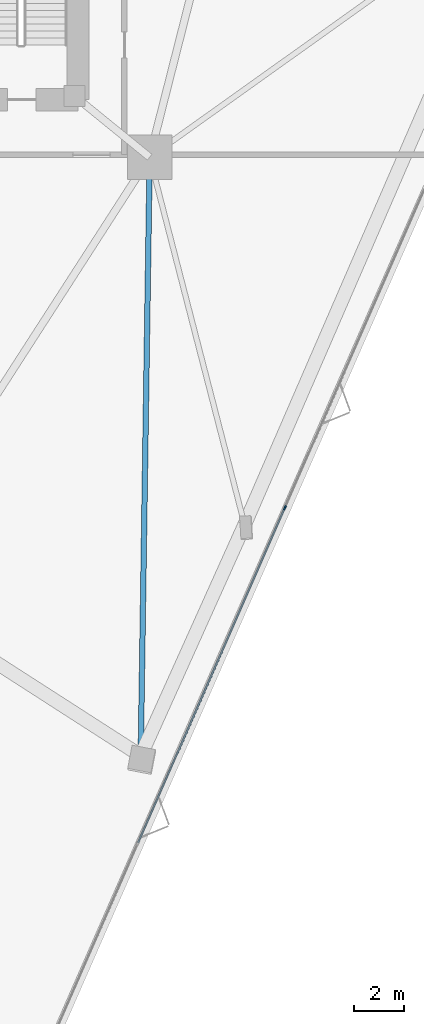
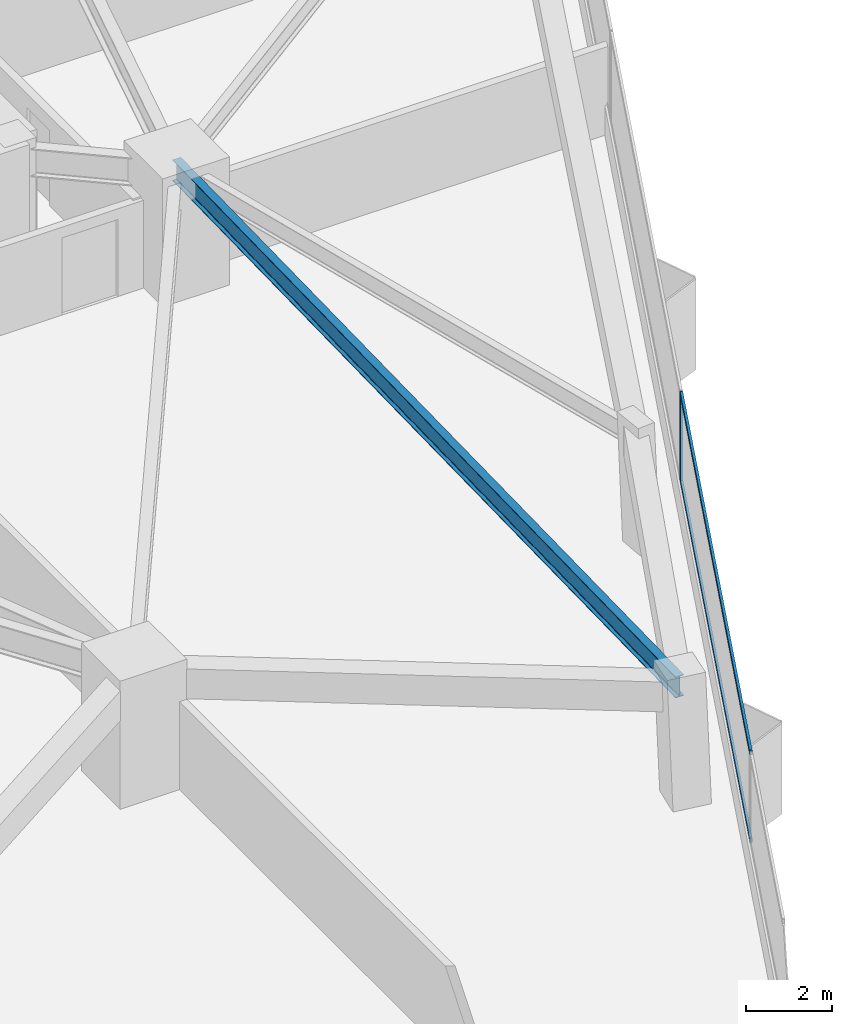
# One storey, part 5 of 20: 3 members, 1 beam, 1 element without a shape of its own.
"""IFC4 building model written with IfcOpenShell, lengths in metres."""

from ifc_helpers import new_model, si_unit, direction, frame, origin, origin_2d, place, context, subcontext, project, spatial, rectangle, i_section, extrude, material, layer, layer_set, material_profile, profile_set, type_object, element, aggregate, save


model = new_model("IFC4")

# Units and contexts
model_context = context("Model", 3, precision=1e-05, world=origin(), true_north=direction((0.0, 1.0)))
body_context = subcontext(model_context, "Body", "Model", "MODEL_VIEW")
ifc_project = project(units=[si_unit("LENGTHUNIT", "METRE"), si_unit("AREAUNIT", "SQUARE_METRE"), si_unit("VOLUMEUNIT", "CUBIC_METRE"), si_unit("PLANEANGLEUNIT", "RADIAN"), si_unit("MASSUNIT", "GRAM", prefix="KILO")], contexts=[model_context])

# Site, building, storey
site_placement = place(None, origin())
site = spatial("IfcSite", under=ifc_project, at=site_placement, CompositionType="ELEMENT")
building_placement = place(site_placement, origin())
building = spatial("IfcBuilding", under=site, at=building_placement, Name="Talyreon Biosciences Tower", CompositionType="ELEMENT")
storey_placement = place(building_placement, frame((0.0, 0.0, 30.10009765625)))
storey = spatial("IfcBuildingStorey", under=building, at=storey_placement, Name="L07", CompositionType="ELEMENT", Elevation=30.10009765625)

# Curtain wall, members
ifc_material_1 = material(Name="Thermally broken aluminium and low-E glazing", Category="aluminium")
ifc_layer = layer(ifc_material_1, 0.195068359375)
ifc_layer_set = layer_set([ifc_layer], Name="Thermally broken aluminium and low-E glazing")
curtain_wall_type = type_object("IfcCurtainWallType", Name="CurtainWall_Zone1WetLab", PredefinedType="NOTDEFINED", material=ifc_layer_set)
curtain_wall_placement = place(storey_placement, origin())
curtain_wall = element("IfcCurtainWall", 1, at=curtain_wall_placement, inside=storey, type_object=curtain_wall_type, Name="L07 Unitised Curtain Wall FCW-L07-08", PredefinedType="NOTDEFINED")
ifc_material_2 = material(Name="Anodised thermally broken aluminium", Category="aluminium")
ifc_material_profile_1 = material_profile(ifc_material_2, rectangle(XDim=0.06494140625, YDim=0.179931640625, at=origin_2d()), Name="ALUM MULLION 65x180")
ifc_profile_set_1 = profile_set([ifc_material_profile_1], Name="Anodised thermally broken aluminium")
member_type_1 = type_object("IfcMemberType", Name="CWMullion_65x180", PredefinedType="MULLION", material=ifc_profile_set_1)
member_1_placement = place(storey_placement, frame((82.5341796875, 44.752685546875, 0.809814453125), z_axis=(0.0, 0.0, 1.0), x_axis=(0.915926900592, -0.401345129249, 0.0)))
member_1 = element("IfcMember", 2, at=member_1_placement, type_object=member_type_1, Name="CW2 mullion 4", PredefinedType="MULLION", context=body_context, shape_type="SweptSolid", body=[
    extrude(rectangle(XDim=0.06494140625, YDim=0.179931640625, at=origin_2d()), origin(), (0.0, 0.0, 1.0), 2.565185546875),
])
ifc_material_profile_2 = material_profile(ifc_material_2, rectangle(XDim=0.06494140625, YDim=0.139892578125, at=origin_2d()), Name="ALUM TRANSOM 65x140")
ifc_profile_set_2 = profile_set([ifc_material_profile_2], Name="Anodised thermally broken aluminium")
member_type_2 = type_object("IfcMemberType", Name="CWTransom_65x140", PredefinedType="USERDEFINED", material=ifc_profile_set_2)
member_2_placement = place(storey_placement, frame((82.52099609375, 44.722900390625, 0.84228515625), z_axis=(-0.401345318485, -0.915926817672, 0.0), x_axis=(0.915926817672, -0.401345318485, 0.0)))
member_2 = element("IfcMember", 3, at=member_2_placement, type_object=member_type_2, Name="CW2 transom 4.1", ObjectType="TRANSOM", PredefinedType="USERDEFINED", context=body_context, shape_type="SweptSolid", body=[
    extrude(rectangle(XDim=0.06494140625, YDim=0.139892578125, at=origin_2d()), origin(), (0.0, 0.0, 1.0), 14.691162109375),
])
member_3_placement = place(storey_placement, frame((82.52099609375, 44.722900390625, 3.34228515625), z_axis=(-0.401345318485, -0.915926817672, 0.0), x_axis=(0.915926817672, -0.401345318485, 0.0)))
member_3 = element("IfcMember", 4, at=member_3_placement, type_object=member_type_2, Name="CW2 transom 4.2", ObjectType="TRANSOM", PredefinedType="USERDEFINED", context=body_context, shape_type="SweptSolid", body=[
    extrude(rectangle(XDim=0.06494140625, YDim=0.139892578125, at=origin_2d()), origin(), (0.0, 0.0, 1.0), 14.691162109375),
])
aggregate(curtain_wall, [member_1, member_2, member_3])

# Beam
ifc_material_3 = material(Name="Steel SM355", Category="steel")
ifc_material_profile_3 = material_profile(ifc_material_3, i_section(OverallWidth=0.219970703125, OverallDepth=0.60009765625, WebThickness=0.011962890625, FlangeThickness=0.01904296875, FilletRadius=0.02392578125, at=origin_2d()), Name="IPE600")
ifc_profile_set_3 = profile_set([ifc_material_profile_3], Name="Steel SM355")
beam_type = type_object("IfcBeamType", Name="SteelJoist_IPE600", PredefinedType="JOIST", material=ifc_profile_set_3)
beam_placement = place(storey_placement, frame((77.086181640625, 58.88037109375, 3.074951171875), z_axis=(-0.014942443025, -0.999888355466, 0.0), x_axis=(0.999888355466, -0.014942443025, 0.0)))
element("IfcBeam", 5, at=beam_placement, inside=storey, type_object=beam_type, Name="L07 Radial Composite Floor Joist PC-SE1", PredefinedType="JOIST", context=body_context, shape_type="SweptSolid", body=[
    extrude(i_section(OverallWidth=0.219970703125, OverallDepth=0.60009765625, WebThickness=0.011962890625, FlangeThickness=0.01904296875, FilletRadius=0.02392578125, at=origin_2d()), origin(), (0.0, 0.0, 1.0), 24.115966796875),
])

save(model, "model.ifc")
